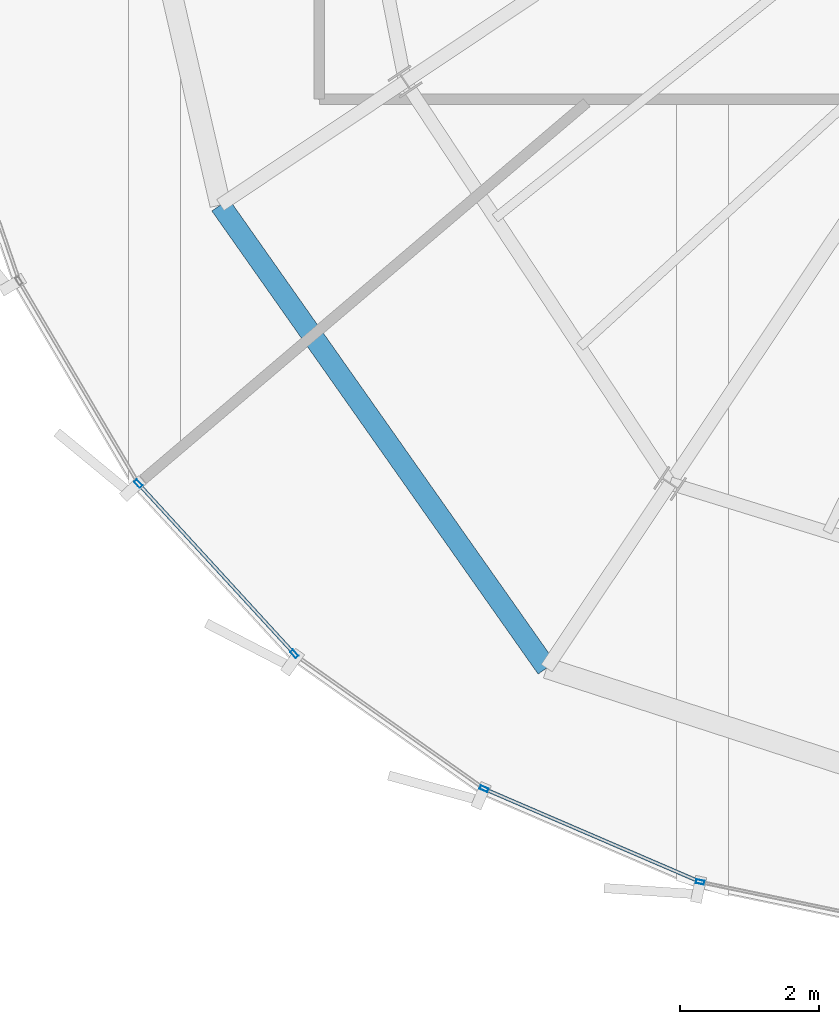
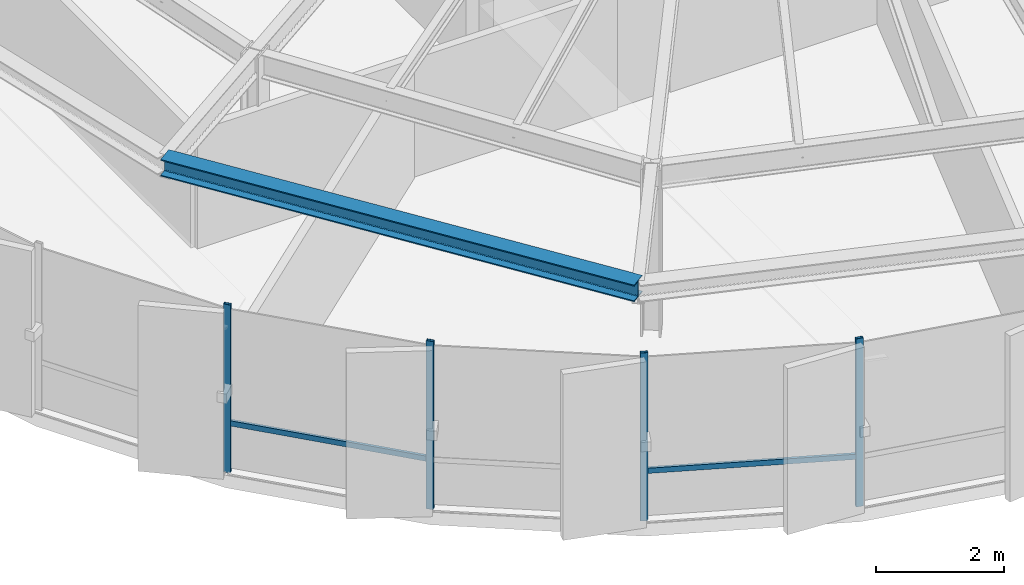
# One storey, part 2 of 34: 6 members, 1 beam, 2 elements without a shape of their own.
"""IFC4 building model written with IfcOpenShell, lengths in metres."""

from ifc_helpers import new_model, si_unit, direction, frame, origin, origin_2d, place, context, subcontext, project, spatial, hollow_rectangle, i_section, extrude, source, transform, mapped, material, layer, layer_set, material_profile, profile_set, type_object, element, aggregate, save


model = new_model("IFC4")

# Units and contexts
model_context = context("Model", 3, precision=1e-05, world=origin(), true_north=direction((0.0, 1.0)))
body_context = subcontext(model_context, "Body", "Model", "MODEL_VIEW")
ifc_project = project(units=[si_unit("LENGTHUNIT", "METRE"), si_unit("AREAUNIT", "SQUARE_METRE"), si_unit("VOLUMEUNIT", "CUBIC_METRE"), si_unit("PLANEANGLEUNIT", "RADIAN"), si_unit("MASSUNIT", "GRAM", prefix="KILO"), si_unit("THERMODYNAMICTEMPERATUREUNIT", "KELVIN")], contexts=[model_context])

# Site, building, storey
site_placement = place(None, origin())
site = spatial("IfcSite", under=ifc_project, at=site_placement, CompositionType="ELEMENT")
building_placement = place(site_placement, origin())
building = spatial("IfcBuilding", under=site, at=building_placement, Name="Kethvar Cultural Tower", CompositionType="ELEMENT")
storey_placement = place(building_placement, frame((0.0, 0.0, 231.85009765625)))
storey = spatial("IfcBuildingStorey", under=building, at=storey_placement, Name="L60", CompositionType="ELEMENT", Elevation=231.85009765625)

# Beam
ifc_material_1 = material(Name="Steel S355J2", Category="steel")
ifc_material_profile_1 = material_profile(ifc_material_1, i_section(OverallWidth=0.300048828125, OverallDepth=0.320068359375, WebThickness=0.011474609375, FlangeThickness=0.0205078125, FilletRadius=0.027099609375, at=origin_2d()), Name="Steel S355J2 — HEB320")
ifc_profile_set_1 = profile_set([ifc_material_profile_1], Name="Steel S355J2 — HEB320")
beam_type = type_object("IfcBeamType", Name="BM-SP320", PredefinedType="SPANDREL", material=ifc_profile_set_1)
shared_shape_1 = source(origin(), body_context, "Body", "SweptSolid", [
    extrude(i_section(OverallWidth=0.300048828125, OverallDepth=0.320068359375, WebThickness=0.011474609375, FlangeThickness=0.0205078125, FilletRadius=0.027099609375, at=origin_2d()), origin(), (0.0, 0.0, 1.0), 8.16259765625),
])
beam_placement = place(storey_placement, frame((30.252197265625, 16.7431640625, 3.0478515625), z_axis=(0.575940812748, -0.817491394579, 0.0), x_axis=(0.817491394579, 0.575940812748, 0.0)))
element("IfcBeam", 1, at=beam_placement, inside=storey, type_object=beam_type, Name="L60 Perimeter Spandrel Beam SP-10", PredefinedType="SPANDREL", context=body_context, shape_type="MappedRepresentation", body=[
    mapped(shared_shape_1, transform((0.0, 0.0, 0.0), scale=1.0)),
])

# Curtain wall, members
ifc_material_2 = material(Name="Aluminium 6063-T6", Category="aluminium")
ifc_layer = layer(ifc_material_2, 0.179931640625, Name="Aluminium 6063-T6", Category="aluminium")
ifc_layer_set = layer_set([ifc_layer], Name="Aluminium 6063-T6 (180 mm)")
curtain_wall_type = type_object("IfcCurtainWallType", Name="CW-SYS-05-Z56", PredefinedType="NOTDEFINED", material=ifc_layer_set)
curtain_wall_1_placement = place(storey_placement, origin())
curtain_wall_1 = element("IfcCurtainWall", 2, at=curtain_wall_1_placement, inside=storey, type_object=curtain_wall_type, Name="L60 Curtain Wall Run 03", PredefinedType="NOTDEFINED")
ifc_material_profile_2 = material_profile(ifc_material_2, hollow_rectangle(XDim=0.054931640625, YDim=0.1201171875, WallThickness=0.00390625, at=origin_2d()), Name="Aluminium 6063-T6 — RHS120x55x4")
ifc_profile_set_2 = profile_set([ifc_material_profile_2], Name="Aluminium 6063-T6 — RHS120x55x4")
member_type_1 = type_object("IfcMemberType", Name="CW-SYS-05-Z56-MUL", PredefinedType="MULLION", material=ifc_profile_set_2)
shared_shape_2 = source(origin(), body_context, "Body", "SweptSolid", [
    extrude(hollow_rectangle(XDim=0.054931640625, YDim=0.1201171875, WallThickness=0.00390625, at=origin_2d()), origin(), (0.0, 0.0, 1.0), 3.2099609375),
])
member_1_placement = place(storey_placement, frame((29.070068359375, 12.72900390625, 0.0), z_axis=(0.0, 0.0, 1.0), x_axis=(0.737171206253, 0.675706010534, 0.0)))
member_1 = element("IfcMember", 3, at=member_1_placement, type_object=member_type_1, Name="CW-L60-R03 Mullion 6", PredefinedType="MULLION", context=body_context, shape_type="MappedRepresentation", body=[
    mapped(shared_shape_2, transform((0.0, 0.0, 0.0), scale=1.0)),
])
member_2_placement = place(storey_placement, frame((31.31787109375, 10.276611328125, 0.0), z_axis=(0.0, 0.0, 1.0), x_axis=(0.737171206253, 0.675706010534, 0.0)))
member_2 = element("IfcMember", 4, at=member_2_placement, type_object=member_type_1, Name="CW-L60-R03 Mullion 7", PredefinedType="MULLION", context=body_context, shape_type="MappedRepresentation", body=[
    mapped(shared_shape_2, transform((0.0, 0.0, 0.0), scale=1.0)),
])

curtain_wall_2_placement = place(storey_placement, origin())
curtain_wall_2 = element("IfcCurtainWall", 5, at=curtain_wall_2_placement, inside=storey, type_object=curtain_wall_type, Name="L60 Curtain Wall Run 04", PredefinedType="NOTDEFINED")
member_3_placement = place(storey_placement, frame((34.0517578125, 8.3310546875, 0.0), z_axis=(0.0, 0.0, 1.0), x_axis=(0.395545502563, 0.918446381343, 0.0)))
member_3 = element("IfcMember", 6, at=member_3_placement, type_object=member_type_1, Name="CW-L60-R04 Mullion 2", PredefinedType="MULLION", context=body_context, shape_type="MappedRepresentation", body=[
    mapped(shared_shape_2, transform((0.0, 0.0, 0.0), scale=1.0)),
])
member_4_placement = place(storey_placement, frame((37.164794921875, 6.98828125, 0.0), z_axis=(0.0, 0.0, 1.0), x_axis=(0.203932230812, 0.978985007667, 0.0)))
member_4 = element("IfcMember", 7, at=member_4_placement, type_object=member_type_1, Name="CW-L60-R04 Mullion 3", PredefinedType="MULLION", context=body_context, shape_type="MappedRepresentation", body=[
    mapped(shared_shape_2, transform((0.0, 0.0, 0.0), scale=1.0)),
])

# Member
ifc_material_profile_3 = material_profile(ifc_material_2, hollow_rectangle(XDim=0.050048828125, YDim=0.10009765625, WallThickness=0.00390625, at=origin_2d()), Name="Aluminium 6063-T6 — RHS100x50x4")
ifc_profile_set_3 = profile_set([ifc_material_profile_3], Name="Aluminium 6063-T6 — RHS100x50x4")
member_type_2 = type_object("IfcMemberType", Name="CW-SYS-05-Z56-TRN", PredefinedType="USERDEFINED", material=ifc_profile_set_3)
shared_shape_3 = source(origin(), body_context, "Body", "SweptSolid", [
    extrude(hollow_rectangle(XDim=0.050048828125, YDim=0.10009765625, WallThickness=0.00390625, at=origin_2d()), origin(), (0.0, 0.0, 1.0), 3.283203125),
])
member_5_placement = place(storey_placement, frame((29.0966796875, 12.69970703125, 0.949951171875), z_axis=(0.675727995849, -0.737151053466, 0.0), x_axis=(0.737151053466, 0.675727995849, 0.0)))
member_5 = element("IfcMember", 8, at=member_5_placement, type_object=member_type_2, Name="CW-L60-R03 Transom 6", ObjectType="TRANSOM", PredefinedType="USERDEFINED", context=body_context, shape_type="MappedRepresentation", body=[
    mapped(shared_shape_3, transform((0.0, 0.0, 0.0), scale=1.0)),
])

aggregate(curtain_wall_1, [member_1, member_2, member_5])

shared_shape_4 = source(origin(), body_context, "Body", "SweptSolid", [
    extrude(hollow_rectangle(XDim=0.050048828125, YDim=0.10009765625, WallThickness=0.00390625, at=origin_2d()), origin(), (0.0, 0.0, 1.0), 3.33154296875),
])
member_6_placement = place(storey_placement, frame((34.087890625, 8.3154296875, 0.949951171875), z_axis=(0.918461357177, -0.395510727255, 0.0), x_axis=(0.395510727255, 0.918461357177, 0.0)))
member_6 = element("IfcMember", 9, at=member_6_placement, type_object=member_type_2, Name="CW-L60-R04 Transom 2", ObjectType="TRANSOM", PredefinedType="USERDEFINED", context=body_context, shape_type="MappedRepresentation", body=[
    mapped(shared_shape_4, transform((0.0, 0.0, 0.0), scale=1.0)),
])

aggregate(curtain_wall_2, [member_3, member_4, member_6])

save(model, "model.ifc")
